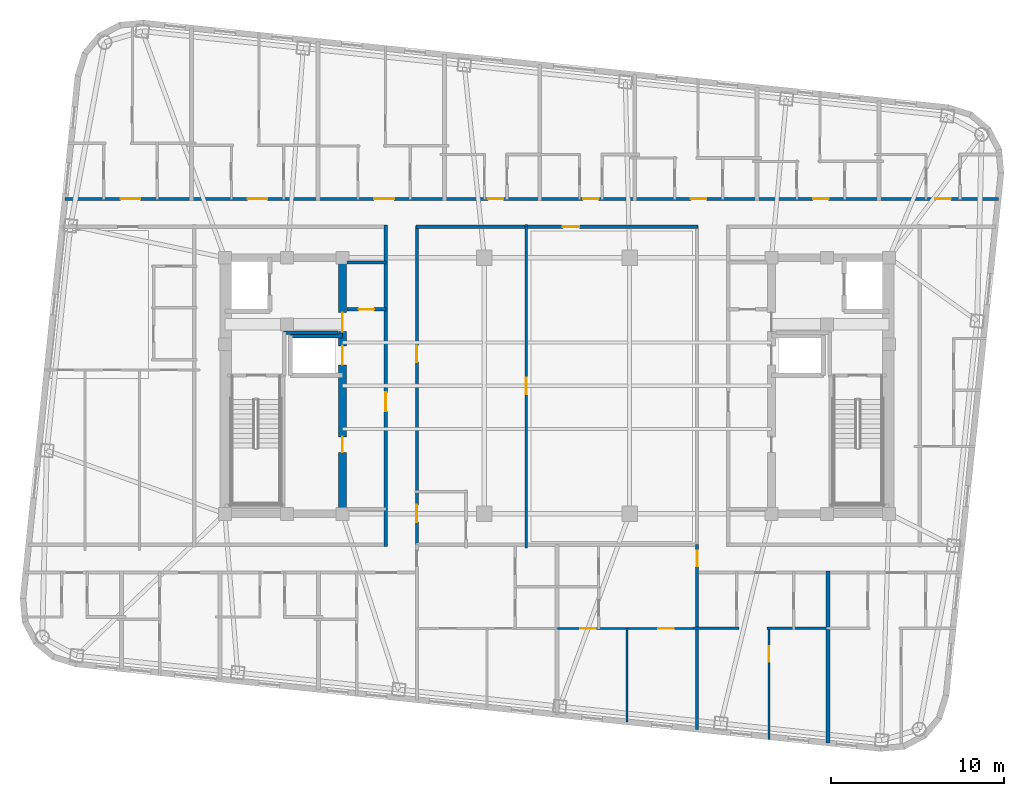
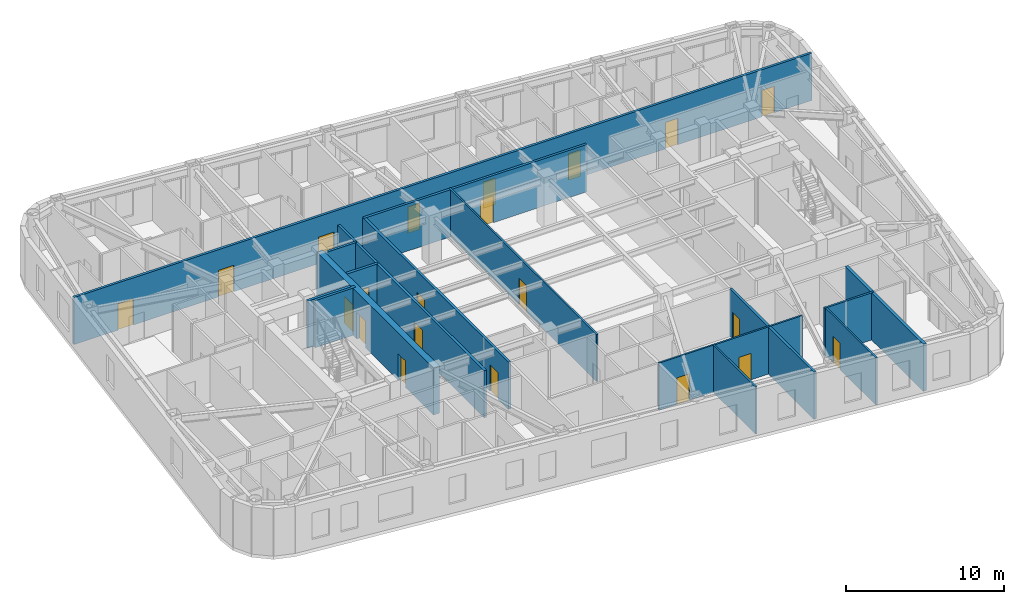
# One storey, part 5 of 11: 21 doors, 17 walls, 21 openings.
"""IFC4 building model written with IfcOpenShell, lengths in metres."""

from ifc_helpers import new_model, si_unit, direction, frame, frame_2d, origin, place, context, subcontext, project, spatial, rectangle, extrude, material, layer, layer_set, type_object, element, fill, save


model = new_model("IFC4")

# Units and contexts
model_context = context("Model", 3, precision=1e-05, world=origin(), true_north=direction((0.0, 1.0)))
body_context = subcontext(model_context, "Body", "Model", "MODEL_VIEW")
ifc_project = project(units=[si_unit("LENGTHUNIT", "METRE"), si_unit("AREAUNIT", "SQUARE_METRE"), si_unit("VOLUMEUNIT", "CUBIC_METRE"), si_unit("PLANEANGLEUNIT", "RADIAN"), si_unit("MASSUNIT", "GRAM", prefix="KILO")], contexts=[model_context])

# Site, building, storey
site_placement = place(None, origin())
site = spatial("IfcSite", under=ifc_project, at=site_placement, CompositionType="ELEMENT")
building_placement = place(site_placement, origin())
building = spatial("IfcBuilding", under=site, at=building_placement, Name="Voryun Gate Residences", CompositionType="ELEMENT")
storey_placement = place(building_placement, frame((0.0, 0.0, 279.5)))
storey = spatial("IfcBuildingStorey", under=building, at=storey_placement, Name="L69", CompositionType="ELEMENT", Elevation=279.5)

# Wall, openings, doors
ifc_material_1 = material(Name="Concrete C50/60", Category="concrete")
ifc_layer_1 = layer(ifc_material_1, 0.449951171875, Name="CW_CORE_450")
ifc_layer_set_1 = layer_set([ifc_layer_1], Name="Concrete C50/60")
wall_type_1 = type_object("IfcWallType", Name="CW_CORE_450", PredefinedType="SHEAR", material=ifc_layer_set_1)
wall_1_placement = place(storey_placement, frame((-12.39990234375, -7.39990234375, 0.0), z_axis=(0.0, 0.0, 1.0), x_axis=(0.0, 1.0, 0.0)))
wall_1 = element("IfcWall", 1, at=wall_1_placement, inside=storey, type_object=wall_type_1, Name="L69 Core shear wall CW-L69-WE", PredefinedType="SHEAR", context=body_context, shape_type="SweptSolid", body=[
    extrude(rectangle(XDim=14.7998046875, YDim=0.449951171875, at=frame_2d((7.39990234375, 0.0))), origin(), (0.0, 0.0, 1.0), 3.64990234375),
])
opening_1_placement = place(wall_1_placement, frame((8.60009765625, 0.0, 0.0)))
opening_1 = element("IfcOpeningElement", 2, at=opening_1_placement, cuts=wall_1, Name="Opening LD2", PredefinedType="OPENING", context=body_context, shape_type="SweptSolid", body=[
    extrude(rectangle(XDim=1.10009765625, YDim=2.050048828125, at=frame_2d((0.550048828125, 1.02490234375))), frame((0.0, 0.235107421875, 0.0), z_axis=(0.0, -1.0, 0.0), x_axis=(1.0, 0.0, 0.0)), (0.0, 0.0, 1.0), 0.469970703125),
])
opening_2_placement = place(wall_1_placement, frame((10.530029296875, 0.0, 0.0)))
opening_2 = element("IfcOpeningElement", 3, at=opening_2_placement, cuts=wall_1, Name="Opening D-FD60-2", PredefinedType="OPENING", context=body_context, shape_type="SweptSolid", body=[
    extrude(rectangle(XDim=1.10009765625, YDim=2.050048828125, at=frame_2d((0.550048828125, 1.02490234375))), frame((0.0, 0.235107421875, 0.0), z_axis=(0.0, -1.0, 0.0), x_axis=(1.0, 0.0, 0.0)), (0.0, 0.0, 1.0), 0.469970703125),
])
opening_3_placement = place(wall_1_placement, frame((3.550048828125, 0.0, 0.0)))
opening_3 = element("IfcOpeningElement", 4, at=opening_3_placement, cuts=wall_1, Name="Opening D-FD60-4", PredefinedType="OPENING", context=body_context, shape_type="SweptSolid", body=[
    extrude(rectangle(XDim=0.89990234375, YDim=2.050048828125, at=frame_2d((0.449951171875, 1.02490234375))), frame((0.0, 0.235107421875, 0.0), z_axis=(0.0, -1.0, 0.0), x_axis=(1.0, 0.0, 0.0)), (0.0, 0.0, 1.0), 0.469970703125),
])
ifc_material_2 = material(Name="Painted steel fire door", Category="steel")
door_type_1 = type_object("IfcDoorType", Name="DR_FD60_FFLOB_1100", OperationType="NOTDEFINED", PredefinedType="DOOR", material=ifc_material_2)
door_1_placement = place(opening_2_placement, origin())
door_1 = element("IfcDoor", 5, at=door_1_placement, inside=storey, type_object=door_type_1, Name="Door DR-L69-CLOB-W", OperationType="SINGLE_SWING_LEFT", OverallHeight=2.050048828125, OverallWidth=1.10009765625, PredefinedType="DOOR", context=body_context, shape_type="SweptSolid", body=[
    extrude(rectangle(XDim=1.10009765625, YDim=2.050048828125, at=frame_2d((0.550048828125, 1.02490234375))), frame((0.0, 0.02490234375, 0.0), z_axis=(0.0, -1.0, 0.0), x_axis=(1.0, 0.0, 0.0)), (0.0, 0.0, 1.0), 0.050048828125),
])
fill(opening_2, door_1)
ifc_material_3 = material(Name="Painted steel fire door", Category="steel")
door_type_2 = type_object("IfcDoorType", Name="DR_FD60_RISER_900", OperationType="NOTDEFINED", PredefinedType="DOOR", material=ifc_material_3)
door_2_placement = place(opening_3_placement, origin())
door_2 = element("IfcDoor", 6, at=door_2_placement, inside=storey, type_object=door_type_2, Name="Door DR-L69-RECW-HI", OperationType="SINGLE_SWING_LEFT", OverallHeight=2.050048828125, OverallWidth=0.89990234375, PredefinedType="DOOR", context=body_context, shape_type="SweptSolid", body=[
    extrude(rectangle(XDim=0.89990234375, YDim=2.050048828125, at=frame_2d((0.449951171875, 1.02490234375))), frame((0.0, 0.02490234375, 0.0), z_axis=(0.0, -1.0, 0.0), x_axis=(1.0, 0.0, 0.0)), (0.0, 0.0, 1.0), 0.050048828125),
])
fill(opening_3, door_2)
ifc_material_4 = material(Name="Anodised aluminium", Category="aluminium")
door_type_3 = type_object("IfcDoorType", Name="DR_LD_PASS_1100", OperationType="NOTDEFINED", PredefinedType="DOOR", material=ifc_material_4)
door_3_placement = place(opening_1_placement, origin())
door_3 = element("IfcDoor", 7, at=door_3_placement, inside=storey, type_object=door_type_3, Name="Lift EL-P7 sliding landing door L69", OperationType="SLIDING_TO_LEFT", OverallHeight=2.050048828125, OverallWidth=1.10009765625, PredefinedType="DOOR", context=body_context, shape_type="SweptSolid", body=[
    extrude(rectangle(XDim=1.10009765625, YDim=2.050048828125, at=frame_2d((0.550048828125, 1.02490234375))), frame((0.0, 0.02490234375, 0.0), z_axis=(0.0, -1.0, 0.0), x_axis=(1.0, 0.0, 0.0)), (0.0, 0.0, 1.0), 0.050048828125),
])
fill(opening_1, door_3)

# Wall
ifc_material_5 = material(Name="Gypsum acoustic fireboard")
ifc_layer_2 = layer(ifc_material_5, 0.179931640625, Name="W_CORR_RATED_180")
ifc_layer_set_2 = layer_set([ifc_layer_2], Name="Gypsum acoustic fireboard")
wall_type_2 = type_object("IfcWallType", Name="W_CORR_RATED_180", PredefinedType="PARTITIONING", material=ifc_layer_set_2)
wall_2_placement = place(storey_placement, frame((-12.14990234375, 7.1201171875, 0.0), z_axis=(0.0, 0.0, 1.0), x_axis=(1.0, 0.0, 0.0)))
element("IfcWall", 8, at=wall_2_placement, inside=storey, type_object=wall_type_2, Name="Partition wall WP-L69-PLBN-W", PredefinedType="PARTITIONING", context=body_context, shape_type="SweptSolid", body=[
    extrude(rectangle(XDim=2.27001953125, YDim=0.179931640625, at=frame_2d((1.135009765625, 0.0))), origin(), (0.0, 0.0, 1.0), 3.64990234375),
])

# Wall, opening, door
wall_3_placement = place(storey_placement, frame((-9.89990234375, -9.280029296875, 0.0), z_axis=(0.0, 0.0, 1.0), x_axis=(0.0, 1.0, 0.0)))
wall_3 = element("IfcWall", 9, at=wall_3_placement, inside=storey, type_object=wall_type_2, Name="Partition wall WP-L69-PLBW-FULL", PredefinedType="PARTITIONING", context=body_context, shape_type="SweptSolid", body=[
    extrude(rectangle(XDim=18.56005859375, YDim=0.179931640625, at=frame_2d((9.280029296875, 0.0))), origin(), (0.0, 0.0, 1.0), 3.64990234375),
])
opening_4_placement = place(wall_3_placement, frame((7.802001953125, 0.0, 0.0)))
opening_4 = element("IfcOpeningElement", 10, at=opening_4_placement, cuts=wall_3, Name="Opening D-FD60-2", PredefinedType="OPENING", context=body_context, shape_type="SweptSolid", body=[
    extrude(rectangle(XDim=1.10009765625, YDim=2.050048828125, at=frame_2d((0.550048828125, 1.02490234375))), frame((0.0, 0.099853515625, 0.0), z_axis=(0.0, -1.0, 0.0), x_axis=(1.0, 0.0, 0.0)), (0.0, 0.0, 1.0), 0.199951171875),
])
door_4_placement = place(opening_4_placement, origin())
door_4 = element("IfcDoor", 11, at=door_4_placement, inside=storey, type_object=door_type_1, Name="Door DR-L69-PLBW-COR", OperationType="SINGLE_SWING_LEFT", OverallHeight=2.050048828125, OverallWidth=1.10009765625, PredefinedType="DOOR", context=body_context, shape_type="SweptSolid", body=[
    extrude(rectangle(XDim=1.10009765625, YDim=2.050048828125, at=frame_2d((0.550048828125, 1.02490234375))), frame((0.0, 0.02490234375, 0.0), z_axis=(0.0, -1.0, 0.0), x_axis=(1.0, 0.0, 0.0)), (0.0, 0.0, 1.0), 0.050048828125),
])
fill(opening_4, door_4)

wall_4_placement = place(storey_placement, frame((-8.14990234375, 9.18994140625, 0.0), z_axis=(0.0, 0.0, 1.0), x_axis=(1.0, 0.0, 0.0)))
wall_4 = element("IfcWall", 12, at=wall_4_placement, inside=storey, type_object=wall_type_2, Name="Partition wall WP-L69-Z3N", PredefinedType="PARTITIONING", context=body_context, shape_type="SweptSolid", body=[
    extrude(rectangle(XDim=16.2998046875, YDim=0.179931640625, at=frame_2d((8.14990234375, 0.0))), origin(), (0.0, 0.0, 1.0), 3.64990234375),
])
opening_5_placement = place(wall_4_placement, frame((8.489990234375, 0.0, 0.0)))
opening_5 = element("IfcOpeningElement", 13, at=opening_5_placement, cuts=wall_4, Name="Opening D-INT-1", PredefinedType="OPENING", context=body_context, shape_type="SweptSolid", body=[
    extrude(rectangle(XDim=0.949951171875, YDim=2.050048828125, at=frame_2d((0.47509765625, 1.02490234375))), frame((0.0, 0.099853515625, 0.0), z_axis=(0.0, -1.0, 0.0), x_axis=(1.0, 0.0, 0.0)), (0.0, 0.0, 1.0), 0.199951171875),
])
ifc_material_6 = material(Name="Architectural oak veneer")
door_type_4 = type_object("IfcDoorType", Name="DR_INT_ROOM_950", OperationType="NOTDEFINED", PredefinedType="DOOR", material=ifc_material_6)
door_5_placement = place(opening_5_placement, origin())
door_5 = element("IfcDoor", 14, at=door_5_placement, inside=storey, type_object=door_type_4, Name="Door DR-L69-CMIDZ3N", OperationType="SINGLE_SWING_LEFT", OverallHeight=2.050048828125, OverallWidth=0.949951171875, PredefinedType="DOOR", context=body_context, shape_type="SweptSolid", body=[
    extrude(rectangle(XDim=0.949951171875, YDim=2.050048828125, at=frame_2d((0.47509765625, 1.02490234375))), frame((0.0, 0.02490234375, 0.0), z_axis=(0.0, -1.0, 0.0), x_axis=(1.0, 0.0, 0.0)), (0.0, 0.0, 1.0), 0.050048828125),
])
fill(opening_5, door_5)

# Wall, openings, doors
wall_5_placement = place(storey_placement, frame((-8.10009765625, -9.22998046875, 0.0), z_axis=(0.0, 0.0, 1.0), x_axis=(0.0, 1.0, 0.0)))
wall_5 = element("IfcWall", 15, at=wall_5_placement, inside=storey, type_object=wall_type_2, Name="Partition wall WP-L69-Z3W", PredefinedType="PARTITIONING", context=body_context, shape_type="SweptSolid", body=[
    extrude(rectangle(XDim=18.4599609375, YDim=0.179931640625, at=frame_2d((9.22998046875, 0.0))), origin(), (0.0, 0.0, 1.0), 3.64990234375),
])
opening_6_placement = place(wall_5_placement, frame((1.345947265625, 0.0, 0.0)))
opening_6 = element("IfcOpeningElement", 16, at=opening_6_placement, cuts=wall_5, Name="Opening D-AWC-1", PredefinedType="OPENING", context=body_context, shape_type="SweptSolid", body=[
    extrude(rectangle(XDim=1.0, YDim=2.050048828125, at=frame_2d((0.5, 1.02490234375))), frame((0.0, 0.099853515625, 0.0), z_axis=(0.0, -1.0, 0.0), x_axis=(1.0, 0.0, 0.0)), (0.0, 0.0, 1.0), 0.199951171875),
])
opening_7_placement = place(wall_5_placement, frame((10.60107421875, 0.0, 0.0)))
opening_7 = element("IfcOpeningElement", 17, at=opening_7_placement, cuts=wall_5, Name="Opening D-INT-1", PredefinedType="OPENING", context=body_context, shape_type="SweptSolid", body=[
    extrude(rectangle(XDim=0.949951171875, YDim=2.050048828125, at=frame_2d((0.47509765625, 1.02490234375))), frame((0.0, 0.099853515625, 0.0), z_axis=(0.0, -1.0, 0.0), x_axis=(1.0, 0.0, 0.0)), (0.0, 0.0, 1.0), 0.199951171875),
])
ifc_material_7 = material(Name="Architectural oak veneer")
door_type_5 = type_object("IfcDoorType", Name="DR_ACC_WC_1000", OperationType="NOTDEFINED", PredefinedType="DOOR", material=ifc_material_7)
door_6_placement = place(opening_6_placement, origin())
door_6 = element("IfcDoor", 18, at=door_6_placement, inside=storey, type_object=door_type_5, Name="Door DR-L69-CMWC-D", OperationType="SINGLE_SWING_LEFT", OverallHeight=2.050048828125, OverallWidth=1.0, PredefinedType="DOOR", context=body_context, shape_type="SweptSolid", body=[
    extrude(rectangle(XDim=1.0, YDim=2.050048828125, at=frame_2d((0.5, 1.02490234375))), frame((0.0, 0.02490234375, 0.0), z_axis=(0.0, -1.0, 0.0), x_axis=(1.0, 0.0, 0.0)), (0.0, 0.0, 1.0), 0.050048828125),
])
fill(opening_6, door_6)
door_7_placement = place(opening_7_placement, origin())
door_7 = element("IfcDoor", 19, at=door_7_placement, inside=storey, type_object=door_type_4, Name="Door DR-L69-CMIDZ3W", OperationType="SINGLE_SWING_RIGHT", OverallHeight=2.050048828125, OverallWidth=0.949951171875, PredefinedType="DOOR", context=body_context, shape_type="SweptSolid", body=[
    extrude(rectangle(XDim=0.949951171875, YDim=2.050048828125, at=frame_2d((0.47509765625, 1.02490234375))), frame((0.0, 0.02490234375, 0.0), z_axis=(0.0, -1.0, 0.0), x_axis=(1.0, 0.0, 0.0)), (0.0, 0.0, 1.0), 0.050048828125),
])
fill(opening_7, door_7)

wall_6_placement = place(storey_placement, frame((-28.442626953125, 10.800048828125, 0.0), z_axis=(0.0, 0.0, 1.0), x_axis=(1.0, 0.0, 0.0)))
wall_6 = element("IfcWall", 20, at=wall_6_placement, inside=storey, type_object=wall_type_2, Name="Partition wall WP-L69-NCORR", PredefinedType="PARTITIONING", context=body_context, shape_type="SweptSolid", body=[
    extrude(rectangle(XDim=53.95556640625, YDim=0.179931640625, at=frame_2d((26.977783203125, 0.0))), origin(), (0.0, 0.0, 1.0), 3.64990234375),
])
opening_8_placement = place(wall_6_placement, frame((3.212646484375, 0.0, 0.0)))
opening_8 = element("IfcOpeningElement", 21, at=opening_8_placement, cuts=wall_6, Name="Opening D-UNIT-1", PredefinedType="OPENING", context=body_context, shape_type="SweptSolid", body=[
    extrude(rectangle(XDim=1.14990234375, YDim=2.050048828125, at=frame_2d((0.574951171875, 1.02490234375))), frame((0.0, 0.099853515625, 0.0), z_axis=(0.0, -1.0, 0.0), x_axis=(1.0, 0.0, 0.0)), (0.0, 0.0, 1.0), 0.199951171875),
])
opening_9_placement = place(wall_6_placement, frame((10.555908203125, 0.0, 0.0)))
opening_9 = element("IfcOpeningElement", 22, at=opening_9_placement, cuts=wall_6, Name="Opening D-UNIT-1", PredefinedType="OPENING", context=body_context, shape_type="SweptSolid", body=[
    extrude(rectangle(XDim=1.14990234375, YDim=2.050048828125, at=frame_2d((0.574951171875, 1.02490234375))), frame((0.0, 0.099853515625, 0.0), z_axis=(0.0, -1.0, 0.0), x_axis=(1.0, 0.0, 0.0)), (0.0, 0.0, 1.0), 0.199951171875),
])
opening_10_placement = place(wall_6_placement, frame((17.872314453125, 0.0, 0.0)))
opening_10 = element("IfcOpeningElement", 23, at=opening_10_placement, cuts=wall_6, Name="Opening D-UNIT-1", PredefinedType="OPENING", context=body_context, shape_type="SweptSolid", body=[
    extrude(rectangle(XDim=1.14990234375, YDim=2.050048828125, at=frame_2d((0.574951171875, 1.02490234375))), frame((0.0, 0.099853515625, 0.0), z_axis=(0.0, -1.0, 0.0), x_axis=(1.0, 0.0, 0.0)), (0.0, 0.0, 1.0), 0.199951171875),
])
opening_11_placement = place(wall_6_placement, frame((24.450439453125, 0.0, 0.0)))
opening_11 = element("IfcOpeningElement", 24, at=opening_11_placement, cuts=wall_6, Name="Opening D-INT-2", PredefinedType="OPENING", context=body_context, shape_type="SweptSolid", body=[
    extrude(rectangle(XDim=0.89990234375, YDim=2.050048828125, at=frame_2d((0.449951171875, 1.02490234375))), frame((0.0, 0.099853515625, 0.0), z_axis=(0.0, -1.0, 0.0), x_axis=(1.0, 0.0, 0.0)), (0.0, 0.0, 1.0), 0.199951171875),
])
opening_12_placement = place(wall_6_placement, frame((29.9541015625, 0.0, 0.0)))
opening_12 = element("IfcOpeningElement", 25, at=opening_12_placement, cuts=wall_6, Name="Opening D-INT-2", PredefinedType="OPENING", context=body_context, shape_type="SweptSolid", body=[
    extrude(rectangle(XDim=0.89990234375, YDim=2.050048828125, at=frame_2d((0.449951171875, 1.02490234375))), frame((0.0, 0.099853515625, 0.0), z_axis=(0.0, -1.0, 0.0), x_axis=(1.0, 0.0, 0.0)), (0.0, 0.0, 1.0), 0.199951171875),
])
opening_13_placement = place(wall_6_placement, frame((36.185791015625, 0.0, 0.0)))
opening_13 = element("IfcOpeningElement", 26, at=opening_13_placement, cuts=wall_6, Name="Opening D-INT-2", PredefinedType="OPENING", context=body_context, shape_type="SweptSolid", body=[
    extrude(rectangle(XDim=0.89990234375, YDim=2.050048828125, at=frame_2d((0.449951171875, 1.02490234375))), frame((0.0, 0.099853515625, 0.0), z_axis=(0.0, -1.0, 0.0), x_axis=(1.0, 0.0, 0.0)), (0.0, 0.0, 1.0), 0.199951171875),
])
opening_14_placement = place(wall_6_placement, frame((43.24853515625, 0.0, 0.0)))
opening_14 = element("IfcOpeningElement", 27, at=opening_14_placement, cuts=wall_6, Name="Opening D-INT-2", PredefinedType="OPENING", context=body_context, shape_type="SweptSolid", body=[
    extrude(rectangle(XDim=0.89990234375, YDim=2.050048828125, at=frame_2d((0.449951171875, 1.02490234375))), frame((0.0, 0.099853515625, 0.0), z_axis=(0.0, -1.0, 0.0), x_axis=(1.0, 0.0, 0.0)), (0.0, 0.0, 1.0), 0.199951171875),
])
opening_15_placement = place(wall_6_placement, frame((50.311279296875, 0.0, 0.0)))
opening_15 = element("IfcOpeningElement", 28, at=opening_15_placement, cuts=wall_6, Name="Opening D-INT-2", PredefinedType="OPENING", context=body_context, shape_type="SweptSolid", body=[
    extrude(rectangle(XDim=0.89990234375, YDim=2.050048828125, at=frame_2d((0.449951171875, 1.02490234375))), frame((0.0, 0.099853515625, 0.0), z_axis=(0.0, -1.0, 0.0), x_axis=(1.0, 0.0, 0.0)), (0.0, 0.0, 1.0), 0.199951171875),
])
ifc_material_8 = material(Name="Architectural oak veneer")
door_type_6 = type_object("IfcDoorType", Name="DR_INT_BATH_900", OperationType="NOTDEFINED", PredefinedType="DOOR", material=ifc_material_8)
door_8_placement = place(opening_11_placement, origin())
door_8 = element("IfcDoor", 29, at=door_8_placement, inside=storey, type_object=door_type_6, Name="Door DR-L69-NENT-4", OperationType="SINGLE_SWING_RIGHT", OverallHeight=2.050048828125, OverallWidth=0.89990234375, PredefinedType="DOOR", context=body_context, shape_type="SweptSolid", body=[
    extrude(rectangle(XDim=0.89990234375, YDim=2.050048828125, at=frame_2d((0.449951171875, 1.02490234375))), frame((0.0, 0.02490234375, 0.0), z_axis=(0.0, -1.0, 0.0), x_axis=(1.0, 0.0, 0.0)), (0.0, 0.0, 1.0), 0.050048828125),
])
fill(opening_11, door_8)
door_9_placement = place(opening_12_placement, origin())
door_9 = element("IfcDoor", 30, at=door_9_placement, inside=storey, type_object=door_type_6, Name="Door DR-L69-NENT-5", OperationType="SINGLE_SWING_LEFT", OverallHeight=2.050048828125, OverallWidth=0.89990234375, PredefinedType="DOOR", context=body_context, shape_type="SweptSolid", body=[
    extrude(rectangle(XDim=0.89990234375, YDim=2.050048828125, at=frame_2d((0.449951171875, 1.02490234375))), frame((0.0, 0.02490234375, 0.0), z_axis=(0.0, -1.0, 0.0), x_axis=(1.0, 0.0, 0.0)), (0.0, 0.0, 1.0), 0.050048828125),
])
fill(opening_12, door_9)
door_10_placement = place(opening_13_placement, origin())
door_10 = element("IfcDoor", 31, at=door_10_placement, inside=storey, type_object=door_type_6, Name="Door DR-L69-NENT-6", OperationType="SINGLE_SWING_RIGHT", OverallHeight=2.050048828125, OverallWidth=0.89990234375, PredefinedType="DOOR", context=body_context, shape_type="SweptSolid", body=[
    extrude(rectangle(XDim=0.89990234375, YDim=2.050048828125, at=frame_2d((0.449951171875, 1.02490234375))), frame((0.0, 0.02490234375, 0.0), z_axis=(0.0, -1.0, 0.0), x_axis=(1.0, 0.0, 0.0)), (0.0, 0.0, 1.0), 0.050048828125),
])
fill(opening_13, door_10)
door_11_placement = place(opening_14_placement, origin())
door_11 = element("IfcDoor", 32, at=door_11_placement, inside=storey, type_object=door_type_6, Name="Door DR-L69-NENT-7", OperationType="SINGLE_SWING_LEFT", OverallHeight=2.050048828125, OverallWidth=0.89990234375, PredefinedType="DOOR", context=body_context, shape_type="SweptSolid", body=[
    extrude(rectangle(XDim=0.89990234375, YDim=2.050048828125, at=frame_2d((0.449951171875, 1.02490234375))), frame((0.0, 0.02490234375, 0.0), z_axis=(0.0, -1.0, 0.0), x_axis=(1.0, 0.0, 0.0)), (0.0, 0.0, 1.0), 0.050048828125),
])
fill(opening_14, door_11)
door_12_placement = place(opening_15_placement, origin())
door_12 = element("IfcDoor", 33, at=door_12_placement, inside=storey, type_object=door_type_6, Name="Door DR-L69-NENT-8", OperationType="SINGLE_SWING_RIGHT", OverallHeight=2.050048828125, OverallWidth=0.89990234375, PredefinedType="DOOR", context=body_context, shape_type="SweptSolid", body=[
    extrude(rectangle(XDim=0.89990234375, YDim=2.050048828125, at=frame_2d((0.449951171875, 1.02490234375))), frame((0.0, 0.02490234375, 0.0), z_axis=(0.0, -1.0, 0.0), x_axis=(1.0, 0.0, 0.0)), (0.0, 0.0, 1.0), 0.050048828125),
])
fill(opening_15, door_12)
ifc_material_9 = material(Name="Armoured timber-clad fire door", Category="wood")
door_type_7 = type_object("IfcDoorType", Name="DR_UNIT_ENTRY_1150", OperationType="NOTDEFINED", PredefinedType="DOOR", material=ifc_material_9)
door_13_placement = place(opening_8_placement, origin())
door_13 = element("IfcDoor", 34, at=door_13_placement, inside=storey, type_object=door_type_7, Name="Door DR-L69-NENT-1", OperationType="SINGLE_SWING_LEFT", OverallHeight=2.050048828125, OverallWidth=1.14990234375, PredefinedType="DOOR", context=body_context, shape_type="SweptSolid", body=[
    extrude(rectangle(XDim=1.14990234375, YDim=2.050048828125, at=frame_2d((0.574951171875, 1.02490234375))), frame((0.0, 0.02490234375, 0.0), z_axis=(0.0, -1.0, 0.0), x_axis=(1.0, 0.0, 0.0)), (0.0, 0.0, 1.0), 0.050048828125),
])
fill(opening_8, door_13)
door_14_placement = place(opening_9_placement, origin())
door_14 = element("IfcDoor", 35, at=door_14_placement, inside=storey, type_object=door_type_7, Name="Door DR-L69-NENT-2", OperationType="SINGLE_SWING_RIGHT", OverallHeight=2.050048828125, OverallWidth=1.14990234375, PredefinedType="DOOR", context=body_context, shape_type="SweptSolid", body=[
    extrude(rectangle(XDim=1.14990234375, YDim=2.050048828125, at=frame_2d((0.574951171875, 1.02490234375))), frame((0.0, 0.02490234375, 0.0), z_axis=(0.0, -1.0, 0.0), x_axis=(1.0, 0.0, 0.0)), (0.0, 0.0, 1.0), 0.050048828125),
])
fill(opening_9, door_14)
door_15_placement = place(opening_10_placement, origin())
door_15 = element("IfcDoor", 36, at=door_15_placement, inside=storey, type_object=door_type_7, Name="Door DR-L69-NENT-3", OperationType="SINGLE_SWING_LEFT", OverallHeight=2.050048828125, OverallWidth=1.14990234375, PredefinedType="DOOR", context=body_context, shape_type="SweptSolid", body=[
    extrude(rectangle(XDim=1.14990234375, YDim=2.050048828125, at=frame_2d((0.574951171875, 1.02490234375))), frame((0.0, 0.02490234375, 0.0), z_axis=(0.0, -1.0, 0.0), x_axis=(1.0, 0.0, 0.0)), (0.0, 0.0, 1.0), 0.050048828125),
])
fill(opening_10, door_15)

# Wall, opening, door
wall_7_placement = place(storey_placement, frame((8.10009765625, -19.857177734375, 0.0), z_axis=(0.0, 0.0, 1.0), x_axis=(0.0, 1.0, 0.0)))
wall_7 = element("IfcWall", 37, at=wall_7_placement, inside=storey, type_object=wall_type_2, Name="Partition wall WP-L69-SZV-2", PredefinedType="PARTITIONING", context=body_context, shape_type="SweptSolid", body=[
    extrude(rectangle(XDim=10.667236328125, YDim=0.179931640625, at=frame_2d((5.33349609375, 0.0))), origin(), (0.0, 0.0, 1.0), 3.64990234375),
])
opening_16_placement = place(wall_7_placement, frame((9.417236328125, 0.0, 0.0)))
opening_16 = element("IfcOpeningElement", 38, at=opening_16_placement, cuts=wall_7, Name="Opening D-INT-2", PredefinedType="OPENING", context=body_context, shape_type="SweptSolid", body=[
    extrude(rectangle(XDim=0.89990234375, YDim=2.050048828125, at=frame_2d((0.449951171875, 1.02490234375))), frame((0.0, 0.099853515625, 0.0), z_axis=(0.0, -1.0, 0.0), x_axis=(1.0, 0.0, 0.0)), (0.0, 0.0, 1.0), 0.199951171875),
])
door_16_placement = place(opening_16_placement, origin())
door_16 = element("IfcDoor", 39, at=door_16_placement, inside=storey, type_object=door_type_6, Name="Door DR-L69-SZENT-2", OperationType="SINGLE_SWING_RIGHT", OverallHeight=2.050048828125, OverallWidth=0.89990234375, PredefinedType="DOOR", context=body_context, shape_type="SweptSolid", body=[
    extrude(rectangle(XDim=0.89990234375, YDim=2.050048828125, at=frame_2d((0.449951171875, 1.02490234375))), frame((0.0, 0.02490234375, 0.0), z_axis=(0.0, -1.0, 0.0), x_axis=(1.0, 0.0, 0.0)), (0.0, 0.0, 1.0), 0.050048828125),
])
fill(opening_16, door_16)

# Wall
ifc_material_10 = material(Name="Concrete C40/50", Category="concrete")
ifc_layer_3 = layer(ifc_material_10, 0.199951171875, Name="W_FF_LOBBY_200")
ifc_layer_set_3 = layer_set([ifc_layer_3], Name="Concrete C40/50")
wall_type_3 = type_object("IfcWallType", Name="W_FF_LOBBY_200", PredefinedType="PARTITIONING", material=ifc_layer_set_3)
wall_8_placement = place(storey_placement, frame((-15.820068359375, 3.06005859375, 0.0), z_axis=(0.0, 0.0, 1.0), x_axis=(1.0, 0.0, 0.0)))
element("IfcWall", 40, at=wall_8_placement, inside=storey, type_object=wall_type_3, Name="Partition wall WP-L69-FFPS-W", PredefinedType="PARTITIONING", context=body_context, shape_type="SweptSolid", body=[
    extrude(rectangle(XDim=3.16015625, YDim=0.199951171875, at=frame_2d((1.580078125, 0.0))), origin(), (0.0, 0.0, 1.0), 3.64990234375),
])

# Wall, opening, door
wall_9_placement = place(storey_placement, frame((-12.14990234375, 4.409912109375, 0.0), z_axis=(0.0, 0.0, 1.0), x_axis=(1.0, 0.0, 0.0)))
wall_9 = element("IfcWall", 41, at=wall_9_placement, inside=storey, type_object=wall_type_3, Name="Partition wall WP-L69-CSFLKS-W", PredefinedType="PARTITIONING", context=body_context, shape_type="SweptSolid", body=[
    extrude(rectangle(XDim=2.27001953125, YDim=0.199951171875, at=frame_2d((1.135009765625, 0.0))), origin(), (0.0, 0.0, 1.0), 3.64990234375),
])
opening_17_placement = place(wall_9_placement, frame((0.68505859375, 0.0, 0.0)))
opening_17 = element("IfcOpeningElement", 42, at=opening_17_placement, cuts=wall_9, Name="Opening D-FD60-4", PredefinedType="OPENING", context=body_context, shape_type="SweptSolid", body=[
    extrude(rectangle(XDim=0.89990234375, YDim=2.050048828125, at=frame_2d((0.449951171875, 1.02490234375))), frame((0.0, 0.110107421875, 0.0), z_axis=(0.0, -1.0, 0.0), x_axis=(1.0, 0.0, 0.0)), (0.0, 0.0, 1.0), 0.219970703125),
])
door_17_placement = place(opening_17_placement, origin())
door_17 = element("IfcDoor", 43, at=door_17_placement, inside=storey, type_object=door_type_2, Name="Door DR-L69-CSFLK-W", OperationType="SINGLE_SWING_LEFT", OverallHeight=2.050048828125, OverallWidth=0.89990234375, PredefinedType="DOOR", context=body_context, shape_type="SweptSolid", body=[
    extrude(rectangle(XDim=0.89990234375, YDim=2.050048828125, at=frame_2d((0.449951171875, 1.02490234375))), frame((0.0, 0.02490234375, 0.0), z_axis=(0.0, -1.0, 0.0), x_axis=(1.0, 0.0, 0.0)), (0.0, 0.0, 1.0), 0.050048828125),
])
fill(opening_17, door_17)

# Walls
ifc_material_11 = material(Name="Concrete C40/50", Category="concrete")
ifc_layer_4 = layer(ifc_material_11, 0.219970703125, Name="W_PARTY_ACOUSTIC_220")
ifc_layer_set_4 = layer_set([ifc_layer_4], Name="Concrete C40/50")
wall_type_4 = type_object("IfcWallType", Name="W_PARTY_ACOUSTIC_220", PredefinedType="PARTITIONING", material=ifc_layer_set_4)
wall_10_placement = place(storey_placement, frame((15.6640625, -20.652099609375, 0.0), z_axis=(0.0, 0.0, 1.0), x_axis=(0.0, 1.0, 0.0)))
element("IfcWall", 44, at=wall_10_placement, inside=storey, type_object=wall_type_4, Name="Partition wall WP-L69-SPTY-6", PredefinedType="PARTITIONING", context=body_context, shape_type="SweptSolid", body=[
    extrude(rectangle(XDim=9.93212890625, YDim=0.219970703125, at=frame_2d((4.966064453125, 0.0))), origin(), (0.0, 0.0, 1.0), 3.64990234375),
])
ifc_material_12 = material(Name="Concrete C50/60", Category="concrete")
ifc_layer_5 = layer(ifc_material_12, 0.25, Name="W_SHAFT_RC250")
ifc_layer_set_5 = layer_set([ifc_layer_5], Name="Concrete C50/60")
wall_type_5 = type_object("IfcWallType", Name="W_SHAFT_RC250", PredefinedType="SOLIDWALL", material=ifc_layer_set_5)
wall_11_placement = place(storey_placement, frame((-12.39990234375, 2.89990234375, 0.0), z_axis=(0.0, 0.0, 1.0), x_axis=(-1.0, 0.0, 0.0)))
element("IfcWall", 45, at=wall_11_placement, inside=storey, type_object=wall_type_5, Name="Lift shaft wall WSH-L69-EL-P7-N", PredefinedType="SOLIDWALL", context=body_context, shape_type="SweptSolid", body=[
    extrude(rectangle(XDim=3.0, YDim=0.25, at=frame_2d((1.5, 0.0))), origin(), (0.0, 0.0, 1.0), 3.64990234375),
])

# Wall, opening, door
ifc_material_13 = material(Name="Gypsum acoustic partition")
ifc_layer_6 = layer(ifc_material_13, 0.125, Name="W_UNIT_PART_125")
ifc_layer_set_6 = layer_set([ifc_layer_6], Name="Gypsum acoustic partition")
wall_type_6 = type_object("IfcWallType", Name="W_UNIT_PART_125", PredefinedType="PARTITIONING", material=ifc_layer_set_6)
wall_12_placement = place(storey_placement, frame((-1.77294921875, -9.3701171875, 0.0), z_axis=(0.0, 0.0, 1.0), x_axis=(0.0, 1.0, 0.0)))
wall_12 = element("IfcWall", 46, at=wall_12_placement, inside=storey, type_object=wall_type_6, Name="Partition wall WP-L69-MIDX-0", PredefinedType="PARTITIONING", context=body_context, shape_type="SweptSolid", body=[
    extrude(rectangle(XDim=18.690185546875, YDim=0.125, at=frame_2d((9.34521484375, 0.0))), origin(), (0.0, 0.0, 1.0), 3.64990234375),
])
opening_18_placement = place(wall_12_placement, frame((8.8701171875, 0.0, 0.0)))
opening_18 = element("IfcOpeningElement", 47, at=opening_18_placement, cuts=wall_12, Name="Opening D-INT-1", PredefinedType="OPENING", context=body_context, shape_type="SweptSolid", body=[
    extrude(rectangle(XDim=0.949951171875, YDim=2.050048828125, at=frame_2d((0.47509765625, 1.02490234375))), frame((0.0, 0.072509765625, 0.0), z_axis=(0.0, -1.0, 0.0), x_axis=(1.0, 0.0, 0.0)), (0.0, 0.0, 1.0), 0.14501953125),
])
door_18_placement = place(opening_18_placement, origin())
door_18 = element("IfcDoor", 48, at=door_18_placement, inside=storey, type_object=door_type_4, Name="Door DR-L69-MIDX-0", OperationType="SINGLE_SWING_LEFT", OverallHeight=2.050048828125, OverallWidth=0.949951171875, PredefinedType="DOOR", context=body_context, shape_type="SweptSolid", body=[
    extrude(rectangle(XDim=0.949951171875, YDim=2.050048828125, at=frame_2d((0.47509765625, 1.02490234375))), frame((0.0, 0.02490234375, 0.0), z_axis=(0.0, -1.0, 0.0), x_axis=(1.0, 0.0, 0.0)), (0.0, 0.0, 1.0), 0.050048828125),
])
fill(opening_18, door_18)

wall_13_placement = place(storey_placement, frame((12.25390625, -20.444580078125, 0.0), z_axis=(0.0, 0.0, 1.0), x_axis=(0.0, 1.0, 0.0)))
wall_13 = element("IfcWall", 49, at=wall_13_placement, inside=storey, type_object=wall_type_6, Name="Partition wall WP-L69-S6-OVR", PredefinedType="PARTITIONING", context=body_context, shape_type="SweptSolid", body=[
    extrude(rectangle(XDim=6.504638671875, YDim=0.125, at=frame_2d((3.25244140625, 0.0))), origin(), (0.0, 0.0, 1.0), 3.64990234375),
])
opening_19_placement = place(wall_13_placement, frame((4.49365234375, 0.0, 0.0)))
opening_19 = element("IfcOpeningElement", 50, at=opening_19_placement, cuts=wall_13, Name="Opening D-INT-2", PredefinedType="OPENING", context=body_context, shape_type="SweptSolid", body=[
    extrude(rectangle(XDim=0.89990234375, YDim=2.050048828125, at=frame_2d((0.449951171875, 1.02490234375))), frame((0.0, 0.072509765625, 0.0), z_axis=(0.0, -1.0, 0.0), x_axis=(1.0, 0.0, 0.0)), (0.0, 0.0, 1.0), 0.14501953125),
])
door_19_placement = place(opening_19_placement, origin())
door_19 = element("IfcDoor", 51, at=door_19_placement, inside=storey, type_object=door_type_6, Name="Door DR-L69-S6-DMB", OperationType="SINGLE_SWING_RIGHT", OverallHeight=2.050048828125, OverallWidth=0.89990234375, PredefinedType="DOOR", context=body_context, shape_type="SweptSolid", body=[
    extrude(rectangle(XDim=0.89990234375, YDim=2.050048828125, at=frame_2d((0.449951171875, 1.02490234375))), frame((0.0, 0.02490234375, 0.0), z_axis=(0.0, -1.0, 0.0), x_axis=(1.0, 0.0, 0.0)), (0.0, 0.0, 1.0), 0.050048828125),
])
fill(opening_19, door_19)

# Wall
wall_14_placement = place(storey_placement, frame((7.887451171875, -14.02001953125, 0.0), z_axis=(0.0, 0.0, 1.0), x_axis=(1.0, 0.0, 0.0)))
element("IfcWall", 52, at=wall_14_placement, inside=storey, type_object=wall_type_6, Name="Partition wall WP-L69-S6-HZK", PredefinedType="PARTITIONING", context=body_context, shape_type="SweptSolid", body=[
    extrude(rectangle(XDim=2.62255859375, YDim=0.125, at=frame_2d((1.311279296875, 0.0))), origin(), (0.0, 0.0, 1.0), 3.64990234375),
])

# Wall, openings, doors
wall_15_placement = place(storey_placement, frame((0.02001953125, -14.030029296875, 0.0), z_axis=(0.0, 0.0, 1.0), x_axis=(1.0, 0.0, 0.0)))
wall_15 = element("IfcWall", 53, at=wall_15_placement, inside=storey, type_object=wall_type_6, Name="Partition wall WP-L69-SC2-HZ", PredefinedType="PARTITIONING", context=body_context, shape_type="SweptSolid", body=[
    extrude(rectangle(XDim=7.992431640625, YDim=0.125, at=frame_2d((3.99609375, 0.0))), origin(), (0.0, 0.0, 1.0), 3.64990234375),
])
opening_20_placement = place(wall_15_placement, frame((1.3232421875, 0.0, 0.0)))
opening_20 = element("IfcOpeningElement", 54, at=opening_20_placement, cuts=wall_15, Name="Opening D-INT-2", PredefinedType="OPENING", context=body_context, shape_type="SweptSolid", body=[
    extrude(rectangle(XDim=0.89990234375, YDim=2.050048828125, at=frame_2d((0.449951171875, 1.02490234375))), frame((0.0, 0.072509765625, 0.0), z_axis=(0.0, -1.0, 0.0), x_axis=(1.0, 0.0, 0.0)), (0.0, 0.0, 1.0), 0.14501953125),
])
opening_21_placement = place(wall_15_placement, frame((5.8369140625, 0.0, 0.0)))
opening_21 = element("IfcOpeningElement", 55, at=opening_21_placement, cuts=wall_15, Name="Opening D-INT-2", PredefinedType="OPENING", context=body_context, shape_type="SweptSolid", body=[
    extrude(rectangle(XDim=0.89990234375, YDim=2.050048828125, at=frame_2d((0.449951171875, 1.02490234375))), frame((0.0, 0.072509765625, 0.0), z_axis=(0.0, -1.0, 0.0), x_axis=(1.0, 0.0, 0.0)), (0.0, 0.0, 1.0), 0.14501953125),
])
door_20_placement = place(opening_20_placement, origin())
door_20 = element("IfcDoor", 56, at=door_20_placement, inside=storey, type_object=door_type_6, Name="Door DR-L69-SC2-DMB", OperationType="SINGLE_SWING_LEFT", OverallHeight=2.050048828125, OverallWidth=0.89990234375, PredefinedType="DOOR", context=body_context, shape_type="SweptSolid", body=[
    extrude(rectangle(XDim=0.89990234375, YDim=2.050048828125, at=frame_2d((0.449951171875, 1.02490234375))), frame((0.0, 0.02490234375, 0.0), z_axis=(0.0, -1.0, 0.0), x_axis=(1.0, 0.0, 0.0)), (0.0, 0.0, 1.0), 0.050048828125),
])
fill(opening_20, door_20)
door_21_placement = place(opening_21_placement, origin())
door_21 = element("IfcDoor", 57, at=door_21_placement, inside=storey, type_object=door_type_6, Name="Door DR-L69-SC2-DBD2", OperationType="SINGLE_SWING_RIGHT", OverallHeight=2.050048828125, OverallWidth=0.89990234375, PredefinedType="DOOR", context=body_context, shape_type="SweptSolid", body=[
    extrude(rectangle(XDim=0.89990234375, YDim=2.050048828125, at=frame_2d((0.449951171875, 1.02490234375))), frame((0.0, 0.02490234375, 0.0), z_axis=(0.0, -1.0, 0.0), x_axis=(1.0, 0.0, 0.0)), (0.0, 0.0, 1.0), 0.050048828125),
])
fill(opening_21, door_21)

# Walls
wall_16_placement = place(storey_placement, frame((4.050048828125, -19.431640625, 0.0), z_axis=(0.0, 0.0, 1.0), x_axis=(0.0, 1.0, 0.0)))
element("IfcWall", 58, at=wall_16_placement, inside=storey, type_object=wall_type_6, Name="Partition wall WP-L69-SC2-VBD", PredefinedType="PARTITIONING", context=body_context, shape_type="SweptSolid", body=[
    extrude(rectangle(XDim=5.441650390625, YDim=0.125, at=frame_2d((2.720703125, 0.0))), origin(), (0.0, 0.0, 1.0), 3.64990234375),
])
ifc_material_14 = material(Name="Gypsum moisture-resistant partition")
ifc_layer_7 = layer(ifc_material_14, 0.14990234375, Name="W_WET_PLUMB_150")
ifc_layer_set_7 = layer_set([ifc_layer_7], Name="Gypsum moisture-resistant partition")
wall_type_7 = type_object("IfcWallType", Name="W_WET_PLUMB_150", PredefinedType="PLUMBINGWALL", material=ifc_layer_set_7)
wall_17_placement = place(storey_placement, frame((12.134033203125, -14.02001953125, 0.0), z_axis=(0.0, 0.0, 1.0), x_axis=(1.0, 0.0, 0.0)))
element("IfcWall", 59, at=wall_17_placement, inside=storey, type_object=wall_type_7, Name="Partition wall WP-L69-S6-HZB", PredefinedType="PLUMBINGWALL", context=body_context, shape_type="SweptSolid", body=[
    extrude(rectangle(XDim=3.60498046875, YDim=0.14990234375, at=frame_2d((1.802490234375, 0.0))), origin(), (0.0, 0.0, 1.0), 3.64990234375),
])

save(model, "model.ifc")
